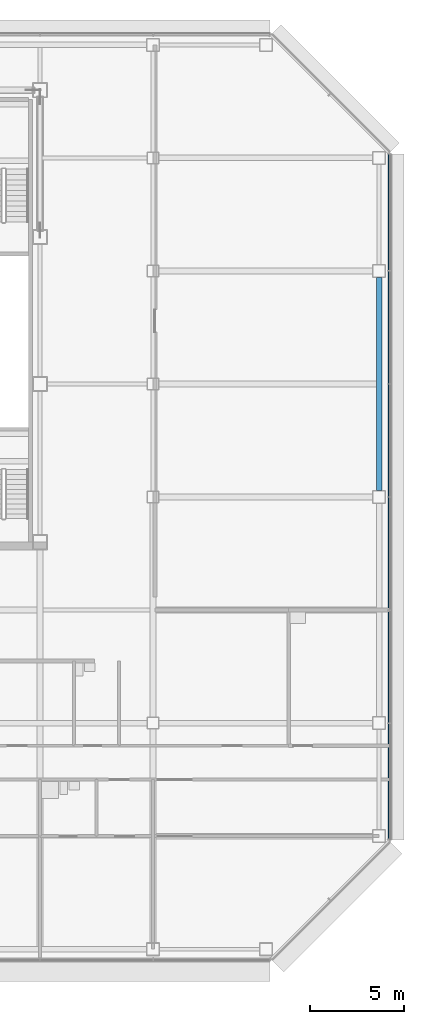
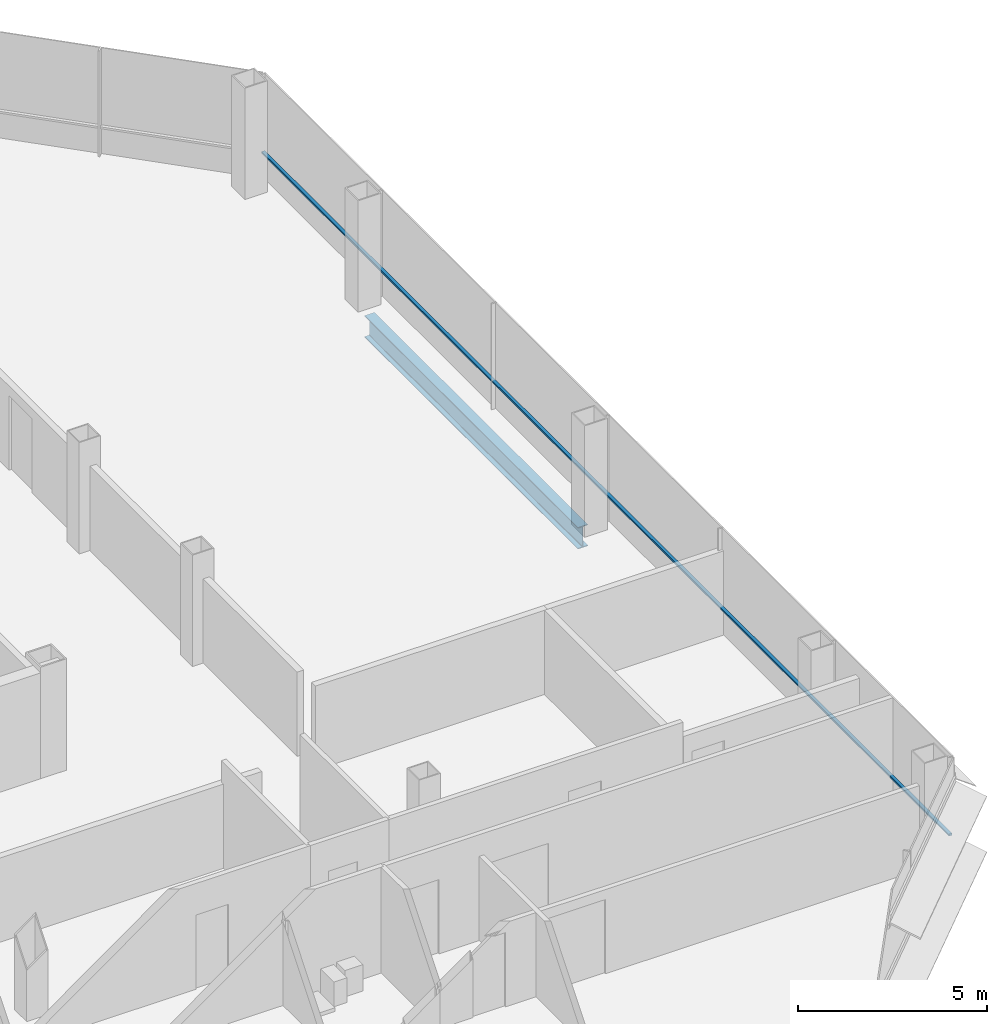
# One storey, part 16 of 24: 1 beam, 1 member, 1 element without a shape of its own.
"""IFC4 building model written with IfcOpenShell, lengths in metres."""

from ifc_helpers import new_model, si_unit, direction, frame, origin, origin_2d, place, context, subcontext, project, spatial, rectangle, i_section, extrude, material, material_profile, profile_set, type_object, element, aggregate, save


model = new_model("IFC4")

# Units and contexts
model_context = context("Model", 3, precision=1e-05, world=origin(), true_north=direction((0.0, 1.0)))
body_context = subcontext(model_context, "Body", "Model", "MODEL_VIEW")
ifc_project = project(units=[si_unit("LENGTHUNIT", "METRE"), si_unit("AREAUNIT", "SQUARE_METRE"), si_unit("VOLUMEUNIT", "CUBIC_METRE"), si_unit("PLANEANGLEUNIT", "RADIAN"), si_unit("MASSUNIT", "GRAM", prefix="KILO")], contexts=[model_context])

# Site, building, storey
site_placement = place(None, origin())
site = spatial("IfcSite", under=ifc_project, at=site_placement, CompositionType="ELEMENT")
building_placement = place(site_placement, origin())
building = spatial("IfcBuilding", under=site, at=building_placement, Name="Sorahane Residences", CompositionType="ELEMENT")
storey_placement = place(building_placement, frame((0.0, 0.0, 174.39990234375)))
storey = spatial("IfcBuildingStorey", under=building, at=storey_placement, Name="L40", CompositionType="ELEMENT", Elevation=174.39990234375)

# Curtain wall, member
ifc_material_1 = material(Name="Dark low-e glass and black anodised aluminium", Category="aluminium")
curtain_wall_type = type_object("IfcCurtainWallType", Name="Curtain wall CW-1 Typical unitised wall", PredefinedType="NOTDEFINED", material=ifc_material_1)
curtain_wall_placement = place(storey_placement, origin())
curtain_wall = element("IfcCurtainWall", 1, at=curtain_wall_placement, inside=storey, type_object=curtain_wall_type, Name="CW-1 curtain wall L40 E1", PredefinedType="NOTDEFINED")
ifc_material_2 = material(Name="Black anodised aluminium", Category="aluminium")
ifc_material_profile_1 = material_profile(ifc_material_2, rectangle(XDim=0.10009765625, YDim=0.06005859375, at=origin_2d()), Name="Curtain wall transom CW-1 black anodised aluminium 60x100")
ifc_profile_set_1 = profile_set([ifc_material_profile_1], Name="Black anodised aluminium")
member_type = type_object("IfcMemberType", Name="Curtain wall transom CW-1 black anodised aluminium 60x100", PredefinedType="USERDEFINED", material=ifc_profile_set_1)
member_placement = place(storey_placement, frame((60.530029296875, 5.801513671875, 0.900146484375), z_axis=(0.0, 1.0, 0.0), x_axis=(-1.0, 0.0, 0.0)))
member = element("IfcMember", 2, at=member_placement, type_object=member_type, Name="CW-1 transom L40 E1", ObjectType="TRANSOM", PredefinedType="USERDEFINED", context=body_context, shape_type="SweptSolid", body=[
    extrude(rectangle(XDim=0.10009765625, YDim=0.06005859375, at=origin_2d()), origin(), (0.0, 0.0, 1.0), 36.39697265625),
])
aggregate(curtain_wall, [member])

# Beam
ifc_material_3 = material(Name="Steel Q355B", Category="steel")
ifc_material_profile_2 = material_profile(ifc_material_3, i_section(OverallWidth=0.300048828125, OverallDepth=0.699951171875, WebThickness=0.012939453125, FlangeThickness=0.02392578125, FilletRadius=0.028076171875, at=origin_2d()), Name="HN 700x300x13x24")
ifc_profile_set_2 = profile_set([ifc_material_profile_2], Name="Steel Q355B")
beam_type = type_object("IfcBeamType", Name="Steel floor beam HN 700x300x13x24 Q355B", PredefinedType="BEAM", material=ifc_profile_set_2)
beam_placement = place(storey_placement, frame((60.0, 24.35009765625, -0.52978515625), z_axis=(0.0, 1.0, 0.0), x_axis=(-1.0, 0.0, 0.0)))
element("IfcBeam", 3, at=beam_placement, inside=storey, type_object=beam_type, Name="Beam L40 066", PredefinedType="BEAM", context=body_context, shape_type="SweptSolid", body=[
    extrude(i_section(OverallWidth=0.300048828125, OverallDepth=0.699951171875, WebThickness=0.012939453125, FlangeThickness=0.02392578125, FilletRadius=0.028076171875, at=origin_2d()), origin(), (0.0, 0.0, 1.0), 11.2998046875),
])

save(model, "model.ifc")
